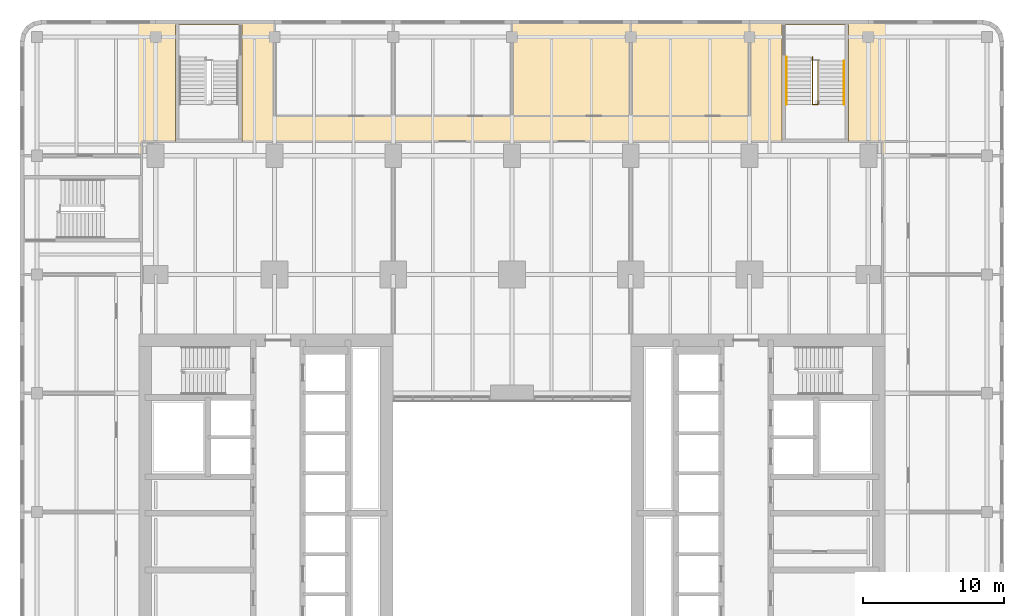
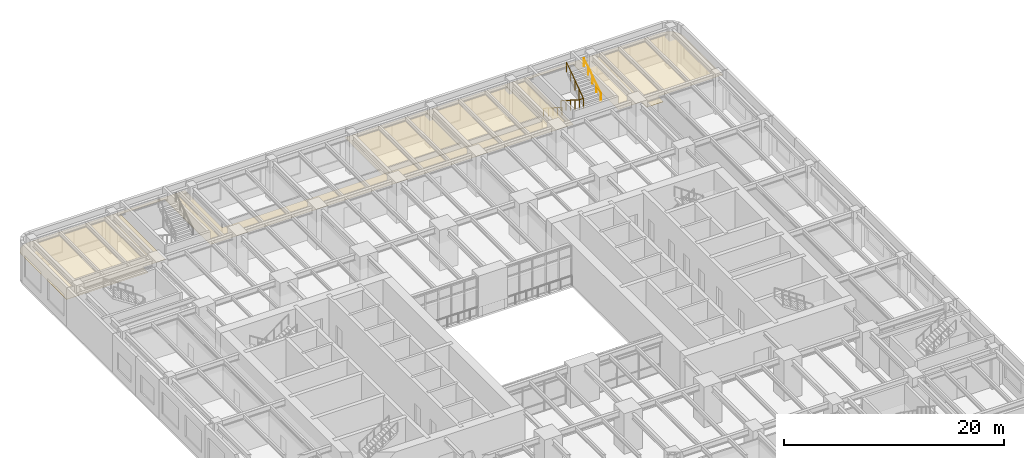
# One storey, part 25 of 26: 3 coverings, 3 railings.
"""IFC4 building model written with IfcOpenShell, lengths in metres."""

from ifc_helpers import new_model, si_unit, direction, frame, origin, origin_2d, place, context, subcontext, project, spatial, polyline, circle, outline, extrude, material, layer, layer_set, type_object, element, save


model = new_model("IFC4")

# Units and contexts
model_context = context("Model", 3, precision=1e-05, world=origin(), true_north=direction((0.0, 1.0)))
body_context = subcontext(model_context, "Body", "Model", "MODEL_VIEW")
ifc_project = project(units=[si_unit("LENGTHUNIT", "METRE"), si_unit("AREAUNIT", "SQUARE_METRE"), si_unit("VOLUMEUNIT", "CUBIC_METRE"), si_unit("PLANEANGLEUNIT", "RADIAN"), si_unit("MASSUNIT", "GRAM", prefix="KILO")], contexts=[model_context])

# Site, building, storey
site_placement = place(None, origin())
site = spatial("IfcSite", under=ifc_project, at=site_placement, CompositionType="ELEMENT")
building_placement = place(site_placement, origin())
building = spatial("IfcBuilding", under=site, at=building_placement, Name="Claustro Exchange Tower", CompositionType="ELEMENT")
storey_placement = place(building_placement, frame((0.0, 0.0, 9.89990234375)))
storey = spatial("IfcBuildingStorey", under=building, at=storey_placement, Name="L02", CompositionType="ELEMENT", Elevation=9.89990234375)

# Coverings
ifc_material_1 = material(Name="Gypsum board ceiling", Category="gypsum board")
ifc_layer = layer(ifc_material_1, 0.02490234375)
ifc_layer_set = layer_set([ifc_layer], Name="Gypsum board ceiling")
covering_type = type_object("IfcCoveringType", Name="CL2 plasterboard ceiling", PredefinedType="CEILING", material=ifc_layer_set)
covering_1_placement = place(storey_placement, frame((0.0, 0.0, 3.0)))
element("IfcCovering", 1, at=covering_1_placement, inside=storey, type_object=covering_type, Name="Ceiling CL2 L02-23", PredefinedType="CEILING", context=body_context, shape_type="SweptSolid", body=[
    extrude(outline(polyline([(-8.10009765625, 60.0), (-8.674072265625, 59.8857421875), (-9.16064453125, 59.560791015625), (-9.48583984375, 59.073974609375), (-9.60009765625, 58.5), (-9.60009765625, 50.39990234375), (-1.0, 50.39990234375), (-1.0, 51.39990234375), (1.39990234375, 51.39990234375), (1.39990234375, 59.679931640625), (6.10009765625, 59.679931640625), (6.10009765625, 51.39990234375), (16.800048828125, 51.39990234375), (33.60009765625, 51.39990234375), (44.300048828125, 51.39990234375), (44.300048828125, 59.679931640625), (49.0, 59.679931640625), (49.0, 51.39990234375), (51.39990234375, 51.39990234375), (51.39990234375, 50.39990234375), (53.199951171875, 50.39990234375), (53.199951171875, 51.39990234375), (60.0, 51.39990234375), (60.0, 58.5), (59.8857421875, 59.073974609375), (59.560791015625, 59.560791015625), (59.073974609375, 59.8857421875), (58.5, 60.0), (42.0, 60.0), (42.0, 53.199951171875), (33.60009765625, 53.199951171875), (25.199951171875, 53.199951171875), (16.800048828125, 53.199951171875), (8.39990234375, 53.199951171875), (8.39990234375, 60.0), (-8.10009765625, 60.0)])), origin(), (0.0, 0.0, 1.0), 0.025146484375),
])
covering_2_placement = place(storey_placement, frame((0.0, 0.0, 3.0)))
element("IfcCovering", 2, at=covering_2_placement, inside=storey, type_object=covering_type, Name="Ceiling CL2 L02-28", PredefinedType="CEILING", context=body_context, shape_type="SweptSolid", body=[
    extrude(outline(polyline([(33.60009765625, 60.0), (25.199951171875, 60.0), (25.199951171875, 53.199951171875), (33.60009765625, 53.199951171875), (33.60009765625, 60.0)])), origin(), (0.0, 0.0, 1.0), 0.025146484375),
])
covering_3_placement = place(storey_placement, frame((0.0, 0.0, 3.0)))
element("IfcCovering", 3, at=covering_3_placement, inside=storey, type_object=covering_type, Name="Ceiling CL2 L02-29", PredefinedType="CEILING", context=body_context, shape_type="SweptSolid", body=[
    extrude(outline(polyline([(42.0, 60.0), (33.60009765625, 60.0), (33.60009765625, 53.199951171875), (42.0, 53.199951171875), (42.0, 60.0)])), origin(), (0.0, 0.0, 1.0), 0.025146484375),
])

# Railings
ifc_material_2 = material(Name="Steel balustrade, painted", Category="steel")
railing_type_1 = type_object("IfcRailingType", Name="GR2 1100 steel stair guard", PredefinedType="GUARDRAIL", material=ifc_material_2)
railing_1_placement = place(storey_placement, frame((46.449951171875, 57.3798828125, 0.18017578125)))
element("IfcRailing", 4, at=railing_1_placement, inside=storey, type_object=railing_type_1, Name="Stair well guard GR2 stair STP4 L02", PredefinedType="GUARDRAIL", context=body_context, shape_type="SweptSolid", body=[
    extrude(circle(Radius=0.02392578125, at=origin_2d()), frame((0.0, 0.0, 1.076171875), z_axis=(0.0, -0.841178475377, 0.540757591313), x_axis=(1.0, 0.0, 0.0)), (0.0, 0.0, 1.0), 3.994140625),
    extrude(circle(Radius=0.02392578125, at=origin_2d()), frame((0.0, -3.35986328125, 3.23583984375), z_axis=(1.0, 0.0, 0.0), x_axis=(0.0, 1.0, 0.0)), (0.0, 0.0, 1.0), 0.400146484375),
    extrude(circle(Radius=0.02392578125, at=origin_2d()), frame((0.400146484375, -3.35986328125, 3.23583984375), z_axis=(0.0, 0.8187499073, 0.574150319426), x_axis=(-1.0, 0.0, 0.0)), (0.0, 0.0, 1.0), 3.761962890625),
    extrude(circle(Radius=0.02099609375, at=origin_2d()), origin(), (0.0, 0.0, 1.0), 1.052001953125),
    extrude(circle(Radius=0.02099609375, at=origin_2d()), frame((0.0, -0.83984375, 0.5400390625)), (0.0, 0.0, 1.0), 1.052001953125),
    extrude(circle(Radius=0.02099609375, at=origin_2d()), frame((0.0, -1.679931640625, 1.080078125)), (0.0, 0.0, 1.0), 1.052001953125),
    extrude(circle(Radius=0.02099609375, at=origin_2d()), frame((0.0, -2.52001953125, 1.619873046875)), (0.0, 0.0, 1.0), 1.052001953125),
    extrude(circle(Radius=0.02099609375, at=origin_2d()), frame((0.0, -3.35986328125, 2.159912109375)), (0.0, 0.0, 1.0), 1.052001953125),
    extrude(circle(Radius=0.02099609375, at=origin_2d()), frame((0.400146484375, -3.35986328125, 2.159912109375)), (0.0, 0.0, 1.0), 1.052001953125),
    extrude(circle(Radius=0.02099609375, at=origin_2d()), frame((0.400146484375, -2.58984375, 2.699951171875)), (0.0, 0.0, 1.0), 1.052001953125),
    extrude(circle(Radius=0.02099609375, at=origin_2d()), frame((0.400146484375, -1.81982421875, 3.23974609375)), (0.0, 0.0, 1.0), 1.052001953125),
    extrude(circle(Radius=0.02099609375, at=origin_2d()), frame((0.400146484375, -1.0498046875, 3.77978515625)), (0.0, 0.0, 1.0), 1.052001953125),
    extrude(circle(Radius=0.02099609375, at=origin_2d()), frame((0.400146484375, -0.27978515625, 4.31982421875)), (0.0, 0.0, 1.0), 1.052001953125),
])
ifc_material_3 = material(Name="Stainless steel tube", Category="steel")
railing_type_2 = type_object("IfcRailingType", Name="HR1 900 stair handrail", PredefinedType="HANDRAIL", material=ifc_material_3)
railing_2_placement = place(storey_placement, frame((44.610107421875, 57.3798828125, 0.18017578125)))
element("IfcRailing", 5, at=railing_2_placement, inside=storey, type_object=railing_type_2, Name="Handrail HR1 stair STP4 L02", PredefinedType="HANDRAIL", context=body_context, shape_type="SweptSolid", body=[
    extrude(circle(Radius=0.02392578125, at=origin_2d()), frame((0.0, 0.0, 0.8759765625), z_axis=(0.0, -0.841178475377, 0.540757591313), x_axis=(1.0, 0.0, 0.0)), (0.0, 0.0, 1.0), 3.994140625),
    extrude(circle(Radius=0.02099609375, at=origin_2d()), origin(), (0.0, 0.0, 1.0), 0.851806640625),
    extrude(circle(Radius=0.02099609375, at=origin_2d()), frame((0.0, -0.83984375, 0.5400390625)), (0.0, 0.0, 1.0), 0.851806640625),
    extrude(circle(Radius=0.02099609375, at=origin_2d()), frame((0.0, -1.679931640625, 1.080078125)), (0.0, 0.0, 1.0), 0.851806640625),
    extrude(circle(Radius=0.02099609375, at=origin_2d()), frame((0.0, -2.52001953125, 1.619873046875)), (0.0, 0.0, 1.0), 0.851806640625),
    extrude(circle(Radius=0.02099609375, at=origin_2d()), frame((0.0, -3.35986328125, 2.159912109375)), (0.0, 0.0, 1.0), 0.851806640625),
])
railing_3_placement = place(storey_placement, frame((48.68994140625, 54.02001953125, 2.52001953125)))
element("IfcRailing", 6, at=railing_3_placement, inside=storey, type_object=railing_type_2, Name="Handrail HR1 stair STP4 L02", PredefinedType="HANDRAIL", context=body_context, shape_type="SweptSolid", body=[
    extrude(circle(Radius=0.02392578125, at=origin_2d()), frame((0.0, 0.0, 0.8759765625), z_axis=(0.0, 0.84118714077, 0.540744111576), x_axis=(-1.0, 0.0, 0.0)), (0.0, 0.0, 1.0), 3.66162109375),
    extrude(circle(Radius=0.02099609375, at=origin_2d()), origin(), (0.0, 0.0, 1.0), 0.851806640625),
    extrude(circle(Radius=0.02099609375, at=origin_2d()), frame((0.0, 0.77001953125, 0.4951171875)), (0.0, 0.0, 1.0), 0.851806640625),
    extrude(circle(Radius=0.02099609375, at=origin_2d()), frame((0.0, 1.5400390625, 0.989990234375)), (0.0, 0.0, 1.0), 0.851806640625),
    extrude(circle(Radius=0.02099609375, at=origin_2d()), frame((0.0, 2.31005859375, 1.48486328125)), (0.0, 0.0, 1.0), 0.851806640625),
    extrude(circle(Radius=0.02099609375, at=origin_2d()), frame((0.0, 3.080078125, 1.97998046875)), (0.0, 0.0, 1.0), 0.851806640625),
])

save(model, "model.ifc")
